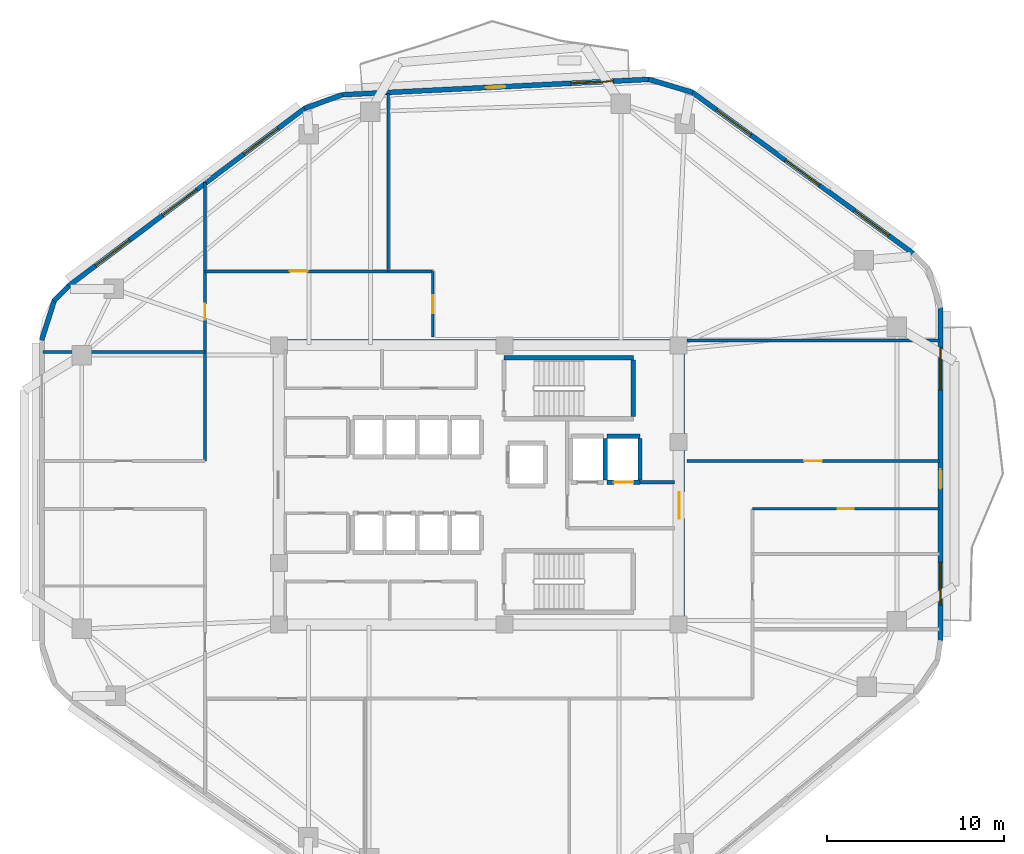
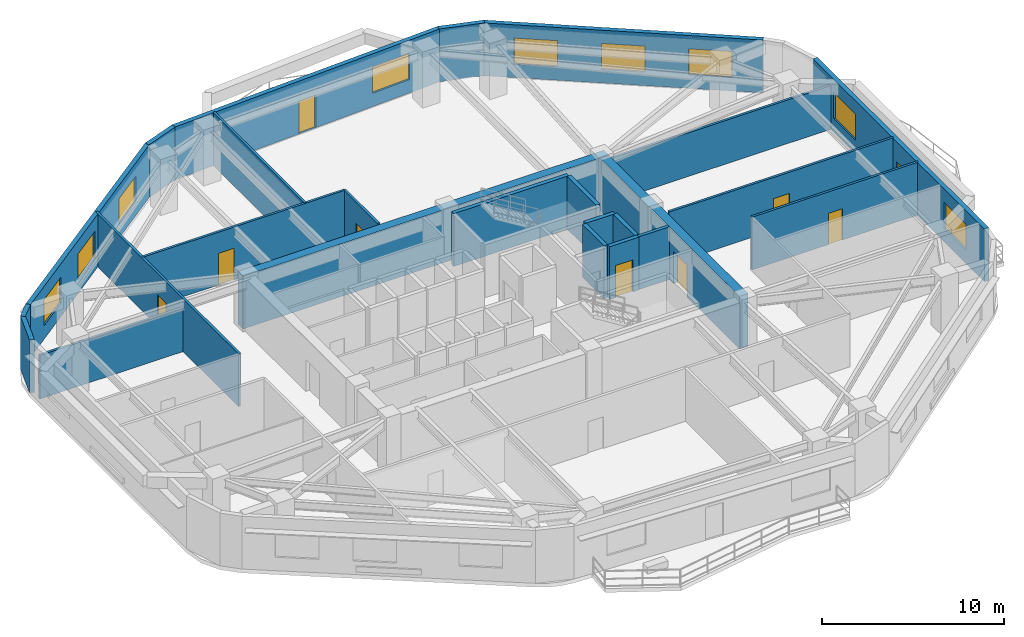
# One storey, part 5 of 8: 25 walls, 9 doors, 9 windows, 18 openings.
"""IFC4 building model written with IfcOpenShell, lengths in metres."""

from ifc_helpers import new_model, si_unit, direction, frame, frame_2d, origin, place, context, subcontext, project, spatial, rectangle, extrude, material, layer, layer_set, type_object, element, fill, save


model = new_model("IFC4")

# Units and contexts
model_context = context("Model", 3, precision=1e-05, world=origin(), true_north=direction((0.0, 1.0)))
body_context = subcontext(model_context, "Body", "Model", "MODEL_VIEW")
ifc_project = project(units=[si_unit("LENGTHUNIT", "METRE"), si_unit("AREAUNIT", "SQUARE_METRE"), si_unit("VOLUMEUNIT", "CUBIC_METRE"), si_unit("PLANEANGLEUNIT", "RADIAN"), si_unit("MASSUNIT", "GRAM", prefix="KILO")], contexts=[model_context])

# Site, building, storey
site_placement = place(None, origin())
site = spatial("IfcSite", under=ifc_project, at=site_placement, CompositionType="ELEMENT")
building_placement = place(site_placement, origin())
building = spatial("IfcBuilding", under=site, at=building_placement, Name="Zulverin Broadcast Headquarters", CompositionType="ELEMENT")
storey_placement = place(building_placement, frame((0.0, 0.0, 136.39990234375)))
storey = spatial("IfcBuildingStorey", under=building, at=storey_placement, Name="L34", CompositionType="ELEMENT", Elevation=136.39990234375)

# Wall
ifc_material_1 = material(Name="Concrete C60/75", Category="concrete")
ifc_layer_1 = layer(ifc_material_1, 0.550048828125, Name="Concrete C60/75", Category="concrete")
ifc_layer_set_1 = layer_set([ifc_layer_1], Name="Concrete C60/75")
wall_type_1 = type_object("IfcWallType", Name="WL-CORE-550", PredefinedType="SHEAR", material=ifc_layer_set_1)
wall_1_placement = place(storey_placement, frame((25.39990234375, 33.125, 0.0), z_axis=(0.0, 0.0, 1.0), x_axis=(1.0, 0.0, 0.0)))
element("IfcWall", 1, at=wall_1_placement, inside=storey, type_object=wall_type_1, Name="L34 Core North Shear Wall", PredefinedType="SHEAR", context=body_context, shape_type="SweptSolid", body=[
    extrude(rectangle(XDim=23.2001953125, YDim=0.550048828125, at=frame_2d((11.60009765625, 0.0))), origin(), (0.0, 0.0, 1.0), 3.5400390625),
])

# Wall, opening, door
wall_2_placement = place(storey_placement, frame((48.324951171875, 17.550048828125, 0.0), z_axis=(0.0, 0.0, 1.0), x_axis=(0.0, 1.0, 0.0)))
wall_2 = element("IfcWall", 2, at=wall_2_placement, inside=storey, type_object=wall_type_1, Name="L34 Core East Shear Wall", PredefinedType="SHEAR", context=body_context, shape_type="SweptSolid", body=[
    extrude(rectangle(XDim=15.300048828125, YDim=0.550048828125, at=frame_2d((7.64990234375, 0.0))), origin(), (0.0, 0.0, 1.0), 3.5400390625),
])
opening_1_placement = place(wall_2_placement, frame((5.75, 0.0, 0.0)))
opening_1 = element("IfcOpeningElement", 3, at=opening_1_placement, cuts=wall_2, Name="Opening D-L34-CE1", PredefinedType="OPENING", context=body_context, shape_type="SweptSolid", body=[
    extrude(rectangle(XDim=1.5, YDim=2.14990234375, at=frame_2d((0.75, 1.074951171875))), frame((0.0, 0.284912109375, 0.0), z_axis=(0.0, -1.0, 0.0), x_axis=(1.0, 0.0, 0.0)), (0.0, 0.0, 1.0), 0.570068359375),
])
ifc_material_2 = material(Name="Fire-rated glazed steel frame", Category="steel")
door_type_1 = type_object("IfcDoorType", Name="DR-COR-1500", OperationType="DOUBLE_DOOR_SINGLE_SWING", PredefinedType="DOOR", material=ifc_material_2)
door_1_placement = place(opening_1_placement, origin())
door_1 = element("IfcDoor", 4, at=door_1_placement, inside=storey, type_object=door_type_1, Name="L34 Firefighting Lobby East Corridor Door", OperationType="DOUBLE_DOOR_SINGLE_SWING", OverallHeight=2.14990234375, OverallWidth=1.5, PredefinedType="DOOR", context=body_context, shape_type="SweptSolid", body=[
    extrude(rectangle(XDim=1.5, YDim=2.14990234375, at=frame_2d((0.75, 1.074951171875))), frame((0.0, 0.02490234375, 0.0), z_axis=(0.0, -1.0, 0.0), x_axis=(1.0, 0.0, 0.0)), (0.0, 0.0, 1.0), 0.050048828125),
])
fill(opening_1, door_1)

# Wall, openings, door, windows
ifc_material_3 = material(Name="Insulated pale-metal clad concrete spandrel C40/50", Category="concrete")
ifc_layer_2 = layer(ifc_material_3, 0.280029296875, Name="Insulated pale-metal clad concrete spandrel C40/50", Category="concrete")
ifc_layer_set_2 = layer_set([ifc_layer_2], Name="Insulated pale-metal clad concrete spandrel C40/50")
wall_type_2 = type_object("IfcWallType", Name="WL-EXT-280", PredefinedType="STANDARD", material=ifc_layer_set_2)
wall_3_placement = place(storey_placement, frame((63.06005859375, 16.418212890625, 0.0), z_axis=(0.0, 0.0, 1.0), x_axis=(0.0, 1.0, 0.0)))
wall_3 = element("IfcWall", 5, at=wall_3_placement, inside=storey, type_object=wall_type_2, Name="L34 Pale-Metal Clad Spandrel Wall 3", PredefinedType="STANDARD", context=body_context, shape_type="SweptSolid", body=[
    extrude(rectangle(XDim=18.811767578125, YDim=0.280029296875, at=frame_2d((9.40576171875, 0.0))), origin(), (0.0, 0.0, 1.0), 3.5400390625),
])
opening_2_placement = place(wall_3_placement, frame((8.555908203125, 0.0, 0.0)))
opening_2 = element("IfcOpeningElement", 6, at=opening_2_placement, cuts=wall_3, Name="Opening D-L34-TR3", PredefinedType="OPENING", context=body_context, shape_type="SweptSolid", body=[
    extrude(rectangle(XDim=1.10009765625, YDim=2.199951171875, at=frame_2d((0.550048828125, 1.10009765625))), frame((0.0, 0.14990234375, 0.0), z_axis=(0.0, -1.0, 0.0), x_axis=(1.0, 0.0, 0.0)), (0.0, 0.0, 1.0), 0.300048828125),
])
opening_3_placement = place(wall_3_placement, frame((2.0185546875, 0.0, 0.89990234375)))
opening_3 = element("IfcOpeningElement", 7, at=opening_3_placement, cuts=wall_3, Name="Opening W-L34-E31", PredefinedType="OPENING", context=body_context, shape_type="SweptSolid", body=[
    extrude(rectangle(XDim=2.39990234375, YDim=1.75, at=frame_2d((1.199951171875, 0.875))), frame((0.0, 0.14990234375, 0.0), z_axis=(0.0, -1.0, 0.0), x_axis=(1.0, 0.0, 0.0)), (0.0, 0.0, 1.0), 0.300048828125),
])
opening_4_placement = place(wall_3_placement, frame((14.14306640625, 0.0, 0.89990234375)))
opening_4 = element("IfcOpeningElement", 8, at=opening_4_placement, cuts=wall_3, Name="Opening W-L34-E32", PredefinedType="OPENING", context=body_context, shape_type="SweptSolid", body=[
    extrude(rectangle(XDim=2.39990234375, YDim=1.75, at=frame_2d((1.199951171875, 0.875))), frame((0.0, 0.14990234375, 0.0), z_axis=(0.0, -1.0, 0.0), x_axis=(1.0, 0.0, 0.0)), (0.0, 0.0, 1.0), 0.300048828125),
])
ifc_material_4 = material(Name="Thermally broken aluminium glazed", Category="aluminium")
door_type_2 = type_object("IfcDoorType", Name="DR-TERR-1100", OperationType="SINGLE_SWING_RIGHT", PredefinedType="DOOR", material=ifc_material_4)
door_2_placement = place(opening_2_placement, origin())
door_2 = element("IfcDoor", 9, at=door_2_placement, inside=storey, type_object=door_type_2, Name="L34 Planted Terrace Glazed Access Door 3", OperationType="SINGLE_SWING_RIGHT", OverallHeight=2.199951171875, OverallWidth=1.10009765625, PredefinedType="DOOR", context=body_context, shape_type="SweptSolid", body=[
    extrude(rectangle(XDim=1.10009765625, YDim=2.199951171875, at=frame_2d((0.550048828125, 1.10009765625))), frame((0.0, 0.02490234375, 0.0), z_axis=(0.0, -1.0, 0.0), x_axis=(1.0, 0.0, 0.0)), (0.0, 0.0, 1.0), 0.050048828125),
])
fill(opening_2, door_2)
ifc_material_5 = material(Name="Pale anodized aluminium frame with solar-control low-E double glazing", Category="aluminium")
window_type = type_object("IfcWindowType", Name="WIN-RIB-2400", PartitioningType="SINGLE_PANEL", PredefinedType="WINDOW", material=ifc_material_5)
window_1_placement = place(opening_3_placement, origin())
window_1 = element("IfcWindow", 10, at=window_1_placement, inside=storey, type_object=window_type, Name="L34 Ribbon Glazing Window 3 1", OverallHeight=1.75, OverallWidth=2.39990234375, PartitioningType="SINGLE_PANEL", PredefinedType="WINDOW", context=body_context, shape_type="SweptSolid", body=[
    extrude(rectangle(XDim=2.39990234375, YDim=1.75, at=frame_2d((1.199951171875, 0.875))), frame((0.0, 0.030029296875, 0.0), z_axis=(0.0, -1.0, 0.0), x_axis=(1.0, 0.0, 0.0)), (0.0, 0.0, 1.0), 0.06005859375),
])
fill(opening_3, window_1)
window_2_placement = place(opening_4_placement, origin())
window_2 = element("IfcWindow", 11, at=window_2_placement, inside=storey, type_object=window_type, Name="L34 Ribbon Glazing Window 3 2", OverallHeight=1.75, OverallWidth=2.39990234375, PartitioningType="SINGLE_PANEL", PredefinedType="WINDOW", context=body_context, shape_type="SweptSolid", body=[
    extrude(rectangle(XDim=2.39990234375, YDim=1.75, at=frame_2d((1.199951171875, 0.875))), frame((0.0, 0.030029296875, 0.0), z_axis=(0.0, -1.0, 0.0), x_axis=(1.0, 0.0, 0.0)), (0.0, 0.0, 1.0), 0.06005859375),
])
fill(opening_4, window_2)

# Wall, openings, windows
wall_4_placement = place(storey_placement, frame((61.516357421875, 38.26708984375, 0.0), z_axis=(0.0, 0.0, 1.0), x_axis=(-0.807812505785, 0.589439526582, 0.0)))
wall_4 = element("IfcWall", 12, at=wall_4_placement, inside=storey, type_object=wall_type_2, Name="L34 Pale-Metal Clad Spandrel Wall 4", PredefinedType="STANDARD", context=body_context, shape_type="SweptSolid", body=[
    extrude(rectangle(XDim=15.448486328125, YDim=0.280029296875, at=frame_2d((7.72412109375, 0.0))), origin(), (0.0, 0.0, 1.0), 3.5400390625),
])
opening_5_placement = place(wall_4_placement, frame((1.7080078125, 0.0, 0.89990234375)))
opening_5 = element("IfcOpeningElement", 13, at=opening_5_placement, cuts=wall_4, Name="Opening W-L34-E41", PredefinedType="OPENING", context=body_context, shape_type="SweptSolid", body=[
    extrude(rectangle(XDim=2.39990234375, YDim=1.75, at=frame_2d((1.199951171875, 0.875))), frame((0.0, 0.14990234375, 0.0), z_axis=(0.0, -1.0, 0.0), x_axis=(1.0, 0.0, 0.0)), (0.0, 0.0, 1.0), 0.300048828125),
])
opening_6_placement = place(wall_4_placement, frame((6.524169921875, 0.0, 0.89990234375)))
opening_6 = element("IfcOpeningElement", 14, at=opening_6_placement, cuts=wall_4, Name="Opening W-L34-E42", PredefinedType="OPENING", context=body_context, shape_type="SweptSolid", body=[
    extrude(rectangle(XDim=2.39990234375, YDim=1.75, at=frame_2d((1.199951171875, 0.875))), frame((0.0, 0.14990234375, 0.0), z_axis=(0.0, -1.0, 0.0), x_axis=(1.0, 0.0, 0.0)), (0.0, 0.0, 1.0), 0.300048828125),
])
opening_7_placement = place(wall_4_placement, frame((11.34033203125, 0.0, 0.89990234375)))
opening_7 = element("IfcOpeningElement", 15, at=opening_7_placement, cuts=wall_4, Name="Opening W-L34-E43", PredefinedType="OPENING", context=body_context, shape_type="SweptSolid", body=[
    extrude(rectangle(XDim=2.39990234375, YDim=1.75, at=frame_2d((1.199951171875, 0.875))), frame((0.0, 0.14990234375, 0.0), z_axis=(0.0, -1.0, 0.0), x_axis=(1.0, 0.0, 0.0)), (0.0, 0.0, 1.0), 0.300048828125),
])
window_3_placement = place(opening_5_placement, origin())
window_3 = element("IfcWindow", 16, at=window_3_placement, inside=storey, type_object=window_type, Name="L34 Ribbon Glazing Window 4 1", OverallHeight=1.75, OverallWidth=2.39990234375, PartitioningType="SINGLE_PANEL", PredefinedType="WINDOW", context=body_context, shape_type="SweptSolid", body=[
    extrude(rectangle(XDim=2.39990234375, YDim=1.75, at=frame_2d((1.199951171875, 0.875))), frame((0.0, 0.030029296875, 0.0), z_axis=(0.0, -1.0, 0.0), x_axis=(1.0, 0.0, 0.0)), (0.0, 0.0, 1.0), 0.06005859375),
])
fill(opening_5, window_3)
window_4_placement = place(opening_6_placement, origin())
window_4 = element("IfcWindow", 17, at=window_4_placement, inside=storey, type_object=window_type, Name="L34 Ribbon Glazing Window 4 2", OverallHeight=1.75, OverallWidth=2.39990234375, PartitioningType="SINGLE_PANEL", PredefinedType="WINDOW", context=body_context, shape_type="SweptSolid", body=[
    extrude(rectangle(XDim=2.39990234375, YDim=1.75, at=frame_2d((1.199951171875, 0.875))), frame((0.0, 0.030029296875, 0.0), z_axis=(0.0, -1.0, 0.0), x_axis=(1.0, 0.0, 0.0)), (0.0, 0.0, 1.0), 0.06005859375),
])
fill(opening_6, window_4)
window_5_placement = place(opening_7_placement, origin())
window_5 = element("IfcWindow", 18, at=window_5_placement, inside=storey, type_object=window_type, Name="L34 Ribbon Glazing Window 4 3", OverallHeight=1.75, OverallWidth=2.39990234375, PartitioningType="SINGLE_PANEL", PredefinedType="WINDOW", context=body_context, shape_type="SweptSolid", body=[
    extrude(rectangle(XDim=2.39990234375, YDim=1.75, at=frame_2d((1.199951171875, 0.875))), frame((0.0, 0.030029296875, 0.0), z_axis=(0.0, -1.0, 0.0), x_axis=(1.0, 0.0, 0.0)), (0.0, 0.0, 1.0), 0.06005859375),
])
fill(opening_7, window_5)

# Wall, openings, door, window
wall_5_placement = place(storey_placement, frame((46.632080078125, 48.091064453125, 0.0), z_axis=(0.0, 0.0, 1.0), x_axis=(-0.998744129094, -0.050101542886, 0.0)))
wall_5 = element("IfcWall", 19, at=wall_5_placement, inside=storey, type_object=wall_type_2, Name="L34 Pale-Metal Clad Spandrel Wall 5", PredefinedType="STANDARD", context=body_context, shape_type="SweptSolid", body=[
    extrude(rectangle(XDim=17.381591796875, YDim=0.280029296875, at=frame_2d((8.69091796875, 0.0))), origin(), (0.0, 0.0, 1.0), 3.5400390625),
])
opening_8_placement = place(wall_5_placement, frame((8.140869140625, 0.0, 0.0)))
opening_8 = element("IfcOpeningElement", 20, at=opening_8_placement, cuts=wall_5, Name="Opening D-L34-TR5", PredefinedType="OPENING", context=body_context, shape_type="SweptSolid", body=[
    extrude(rectangle(XDim=1.10009765625, YDim=2.199951171875, at=frame_2d((0.550048828125, 1.10009765625))), frame((0.0, 0.14990234375, 0.0), z_axis=(0.0, -1.0, 0.0), x_axis=(1.0, 0.0, 0.0)), (0.0, 0.0, 1.0), 0.300048828125),
])
opening_9_placement = place(wall_5_placement, frame((2.0302734375, 0.0, 0.89990234375)))
opening_9 = element("IfcOpeningElement", 21, at=opening_9_placement, cuts=wall_5, Name="Opening W-L34-E51", PredefinedType="OPENING", context=body_context, shape_type="SweptSolid", body=[
    extrude(rectangle(XDim=2.39990234375, YDim=1.75, at=frame_2d((1.199951171875, 0.875))), frame((0.0, 0.14990234375, 0.0), z_axis=(0.0, -1.0, 0.0), x_axis=(1.0, 0.0, 0.0)), (0.0, 0.0, 1.0), 0.300048828125),
])
door_3_placement = place(opening_8_placement, origin())
door_3 = element("IfcDoor", 22, at=door_3_placement, inside=storey, type_object=door_type_2, Name="L34 Planted Terrace Glazed Access Door 5", OperationType="SINGLE_SWING_RIGHT", OverallHeight=2.199951171875, OverallWidth=1.10009765625, PredefinedType="DOOR", context=body_context, shape_type="SweptSolid", body=[
    extrude(rectangle(XDim=1.10009765625, YDim=2.199951171875, at=frame_2d((0.550048828125, 1.10009765625))), frame((0.0, 0.02490234375, 0.0), z_axis=(0.0, -1.0, 0.0), x_axis=(1.0, 0.0, 0.0)), (0.0, 0.0, 1.0), 0.050048828125),
])
fill(opening_8, door_3)
window_6_placement = place(opening_9_placement, origin())
window_6 = element("IfcWindow", 23, at=window_6_placement, inside=storey, type_object=window_type, Name="L34 Ribbon Glazing Window 5 1", OverallHeight=1.75, OverallWidth=2.39990234375, PartitioningType="SINGLE_PANEL", PredefinedType="WINDOW", context=body_context, shape_type="SweptSolid", body=[
    extrude(rectangle(XDim=2.39990234375, YDim=1.75, at=frame_2d((1.199951171875, 0.875))), frame((0.0, 0.030029296875, 0.0), z_axis=(0.0, -1.0, 0.0), x_axis=(1.0, 0.0, 0.0)), (0.0, 0.0, 1.0), 0.06005859375),
])
fill(opening_9, window_6)

# Wall, openings, windows
wall_6_placement = place(storey_placement, frame((27.201171875, 46.469970703125, 0.0), z_axis=(0.0, 0.0, 1.0), x_axis=(-0.799280853427, -0.600957666849, 0.0)))
wall_6 = element("IfcWall", 24, at=wall_6_placement, inside=storey, type_object=wall_type_2, Name="L34 Pale-Metal Clad Spandrel Wall 6", PredefinedType="STANDARD", context=body_context, shape_type="SweptSolid", body=[
    extrude(rectangle(XDim=16.716064453125, YDim=0.280029296875, at=frame_2d((8.35791015625, 0.0))), origin(), (0.0, 0.0, 1.0), 3.5400390625),
])
opening_10_placement = place(wall_6_placement, frame((1.91943359375, 0.0, 0.89990234375)))
opening_10 = element("IfcOpeningElement", 25, at=opening_10_placement, cuts=wall_6, Name="Opening W-L34-E61", PredefinedType="OPENING", context=body_context, shape_type="SweptSolid", body=[
    extrude(rectangle(XDim=2.39990234375, YDim=1.75, at=frame_2d((1.199951171875, 0.875))), frame((0.0, 0.14990234375, 0.0), z_axis=(0.0, -1.0, 0.0), x_axis=(1.0, 0.0, 0.0)), (0.0, 0.0, 1.0), 0.300048828125),
])
opening_11_placement = place(wall_6_placement, frame((7.658203125, 0.0, 0.89990234375)))
opening_11 = element("IfcOpeningElement", 26, at=opening_11_placement, cuts=wall_6, Name="Opening W-L34-E62", PredefinedType="OPENING", context=body_context, shape_type="SweptSolid", body=[
    extrude(rectangle(XDim=2.39990234375, YDim=1.75, at=frame_2d((1.199951171875, 0.875))), frame((0.0, 0.14990234375, 0.0), z_axis=(0.0, -1.0, 0.0), x_axis=(1.0, 0.0, 0.0)), (0.0, 0.0, 1.0), 0.300048828125),
])
opening_12_placement = place(wall_6_placement, frame((12.396728515625, 0.0, 0.89990234375)))
opening_12 = element("IfcOpeningElement", 27, at=opening_12_placement, cuts=wall_6, Name="Opening W-L34-E63", PredefinedType="OPENING", context=body_context, shape_type="SweptSolid", body=[
    extrude(rectangle(XDim=2.39990234375, YDim=1.75, at=frame_2d((1.199951171875, 0.875))), frame((0.0, 0.14990234375, 0.0), z_axis=(0.0, -1.0, 0.0), x_axis=(1.0, 0.0, 0.0)), (0.0, 0.0, 1.0), 0.300048828125),
])
window_7_placement = place(opening_10_placement, origin())
window_7 = element("IfcWindow", 28, at=window_7_placement, inside=storey, type_object=window_type, Name="L34 Ribbon Glazing Window 6 1", OverallHeight=1.75, OverallWidth=2.39990234375, PartitioningType="SINGLE_PANEL", PredefinedType="WINDOW", context=body_context, shape_type="SweptSolid", body=[
    extrude(rectangle(XDim=2.39990234375, YDim=1.75, at=frame_2d((1.199951171875, 0.875))), frame((0.0, 0.030029296875, 0.0), z_axis=(0.0, -1.0, 0.0), x_axis=(1.0, 0.0, 0.0)), (0.0, 0.0, 1.0), 0.06005859375),
])
fill(opening_10, window_7)
window_8_placement = place(opening_11_placement, origin())
window_8 = element("IfcWindow", 29, at=window_8_placement, inside=storey, type_object=window_type, Name="L34 Ribbon Glazing Window 6 2", OverallHeight=1.75, OverallWidth=2.39990234375, PartitioningType="SINGLE_PANEL", PredefinedType="WINDOW", context=body_context, shape_type="SweptSolid", body=[
    extrude(rectangle(XDim=2.39990234375, YDim=1.75, at=frame_2d((1.199951171875, 0.875))), frame((0.0, 0.030029296875, 0.0), z_axis=(0.0, -1.0, 0.0), x_axis=(1.0, 0.0, 0.0)), (0.0, 0.0, 1.0), 0.06005859375),
])
fill(opening_11, window_8)
window_9_placement = place(opening_12_placement, origin())
window_9 = element("IfcWindow", 30, at=window_9_placement, inside=storey, type_object=window_type, Name="L34 Ribbon Glazing Window 6 3", OverallHeight=1.75, OverallWidth=2.39990234375, PartitioningType="SINGLE_PANEL", PredefinedType="WINDOW", context=body_context, shape_type="SweptSolid", body=[
    extrude(rectangle(XDim=2.39990234375, YDim=1.75, at=frame_2d((1.199951171875, 0.875))), frame((0.0, 0.030029296875, 0.0), z_axis=(0.0, -1.0, 0.0), x_axis=(1.0, 0.0, 0.0)), (0.0, 0.0, 1.0), 0.06005859375),
])
fill(opening_12, window_9)

# Walls
wall_7_placement = place(storey_placement, frame((49.079345703125, 47.35205078125, 0.0), z_axis=(0.0, 0.0, 1.0), x_axis=(-0.958207501709, 0.286074087726, 0.0)))
element("IfcWall", 31, at=wall_7_placement, inside=storey, type_object=wall_type_2, Name="L34 Wind-Shaped Corner Spandrel Wall 4-1", PredefinedType="STANDARD", context=body_context, shape_type="SweptSolid", body=[
    extrude(rectangle(XDim=2.60302734375, YDim=0.280029296875, at=frame_2d((1.301513671875, 0.0))), origin(), (0.0, 0.0, 1.0), 3.5400390625),
])
wall_8_placement = place(storey_placement, frame((29.31298828125, 47.228271484375, 0.0), z_axis=(0.0, 0.0, 1.0), x_axis=(-0.940226330758, -0.340550212084, 0.0)))
element("IfcWall", 32, at=wall_8_placement, inside=storey, type_object=wall_type_2, Name="L34 Wind-Shaped Corner Spandrel Wall 5-1", PredefinedType="STANDARD", context=body_context, shape_type="SweptSolid", body=[
    extrude(rectangle(XDim=2.28466796875, YDim=0.280029296875, at=frame_2d((1.142333984375, 0.0))), origin(), (0.0, 0.0, 1.0), 3.5400390625),
])
wall_9_placement = place(storey_placement, frame((13.8564453125, 36.4384765625, 0.0), z_axis=(0.0, 0.0, 1.0), x_axis=(-0.697369094044, -0.716712178404, 0.0)))
element("IfcWall", 33, at=wall_9_placement, inside=storey, type_object=wall_type_2, Name="L34 Wind-Shaped Corner Spandrel Wall 6-1", PredefinedType="STANDARD", context=body_context, shape_type="SweptSolid", body=[
    extrude(rectangle(XDim=1.198974609375, YDim=0.280029296875, at=frame_2d((0.599609375, 0.0))), origin(), (0.0, 0.0, 1.0), 3.5400390625),
])
wall_10_placement = place(storey_placement, frame((13.053466796875, 35.63427734375, 0.0), z_axis=(0.0, 0.0, 1.0), x_axis=(-0.303807416298, -0.952733464198, 0.0)))
element("IfcWall", 34, at=wall_10_placement, inside=storey, type_object=wall_type_2, Name="L34 Wind-Shaped Corner Spandrel Wall 6-2", PredefinedType="STANDARD", context=body_context, shape_type="SweptSolid", body=[
    extrude(rectangle(XDim=2.369873046875, YDim=0.280029296875, at=frame_2d((1.18505859375, 0.0))), origin(), (0.0, 0.0, 1.0), 3.5400390625),
])
ifc_material_6 = material(Name="Concrete C40/50", Category="concrete")
ifc_layer_3 = layer(ifc_material_6, 0.199951171875, Name="Concrete C40/50", Category="concrete")
ifc_layer_set_3 = layer_set([ifc_layer_3], Name="Concrete C40/50")
wall_type_3 = type_object("IfcWallType", Name="WL-FFL-200", PredefinedType="SOLIDWALL", material=ifc_layer_set_3)
wall_11_placement = place(storey_placement, frame((46.10009765625, 25.35009765625, 0.0), z_axis=(0.0, 0.0, 1.0), x_axis=(1.0, 0.0, 0.0)))
element("IfcWall", 35, at=wall_11_placement, inside=storey, type_object=wall_type_3, Name="L34 Firefighting Lift Lobby North Wall", PredefinedType="SOLIDWALL", context=body_context, shape_type="SweptSolid", body=[
    extrude(rectangle(XDim=1.949951171875, YDim=0.199951171875, at=frame_2d((0.97509765625, 0.0))), origin(), (0.0, 0.0, 1.0), 3.5400390625),
])

# Wall, opening, door
ifc_material_7 = material(Name="Fire-rated gypsum stud partition", Category="gypsum")
ifc_layer_4 = layer(ifc_material_7, 0.14990234375, Name="Fire-rated gypsum stud partition", Category="gypsum")
ifc_layer_set_4 = layer_set([ifc_layer_4], Name="Fire-rated gypsum stud partition")
wall_type_4 = type_object("IfcWallType", Name="WL-PART-150", PredefinedType="PARTITIONING", material=ifc_layer_set_4)
wall_12_placement = place(storey_placement, frame((34.39990234375, 33.5400390625, 0.0), z_axis=(0.0, 0.0, 1.0), x_axis=(0.0, 1.0, 0.0)))
wall_12 = element("IfcWall", 36, at=wall_12_placement, inside=storey, type_object=wall_type_4, Name="L34 Gallery Partition Wall CG-03", PredefinedType="PARTITIONING", context=body_context, shape_type="SweptSolid", body=[
    extrude(rectangle(XDim=3.7099609375, YDim=0.14990234375, at=frame_2d((1.85498046875, 0.0))), origin(), (0.0, 0.0, 1.0), 3.5400390625),
])
opening_13_placement = place(wall_12_placement, frame((1.35498046875, 0.0, 0.0)))
opening_13 = element("IfcOpeningElement", 37, at=opening_13_placement, cuts=wall_12, Name="Opening D-L34-02", PredefinedType="OPENING", context=body_context, shape_type="SweptSolid", body=[
    extrude(rectangle(XDim=1.0, YDim=2.1201171875, at=frame_2d((0.5, 1.06005859375))), frame((0.0, 0.0849609375, 0.0), z_axis=(0.0, -1.0, 0.0), x_axis=(1.0, 0.0, 0.0)), (0.0, 0.0, 1.0), 0.169921875),
])
ifc_material_8 = material(Name="Hardwood veneer acoustic leaf", Category="wood")
door_type_3 = type_object("IfcDoorType", Name="DR-OFF-1000", OperationType="SINGLE_SWING_LEFT", PredefinedType="DOOR", material=ifc_material_8)
door_4_placement = place(opening_13_placement, origin())
door_4 = element("IfcDoor", 38, at=door_4_placement, inside=storey, type_object=door_type_3, Name="L34 News Wire Office Door", OperationType="SINGLE_SWING_RIGHT", OverallHeight=2.1201171875, OverallWidth=1.0, PredefinedType="DOOR", context=body_context, shape_type="SweptSolid", body=[
    extrude(rectangle(XDim=1.0, YDim=2.1201171875, at=frame_2d((0.5, 1.06005859375))), frame((0.0, 0.02490234375, 0.0), z_axis=(0.0, -1.0, 0.0), x_axis=(1.0, 0.0, 0.0)), (0.0, 0.0, 1.0), 0.050048828125),
])
fill(opening_13, door_4)

# Wall
wall_13_placement = place(storey_placement, frame((31.89990234375, 37.25, 0.0), z_axis=(0.0, 0.0, 1.0), x_axis=(0.0, 1.0, 0.0)))
element("IfcWall", 39, at=wall_13_placement, inside=storey, type_object=wall_type_4, Name="L34 Room Partition Wall RP-04", PredefinedType="PARTITIONING", context=body_context, shape_type="SweptSolid", body=[
    extrude(rectangle(XDim=10.037109375, YDim=0.14990234375, at=frame_2d((5.0185546875, 0.0))), origin(), (0.0, 0.0, 1.0), 3.5400390625),
])

# Wall, opening, door
wall_14_placement = place(storey_placement, frame((21.550048828125, 26.550048828125, 0.0), z_axis=(0.0, 0.0, 1.0), x_axis=(0.0, 1.0, 0.0)))
wall_14 = element("IfcWall", 40, at=wall_14_placement, inside=storey, type_object=wall_type_4, Name="L34 Gallery Partition Wall CG-07", PredefinedType="PARTITIONING", context=body_context, shape_type="SweptSolid", body=[
    extrude(rectangle(XDim=15.7060546875, YDim=0.14990234375, at=frame_2d((7.85302734375, 0.0))), origin(), (0.0, 0.0, 1.0), 3.5400390625),
])
opening_14_placement = place(wall_14_placement, frame((7.97509765625, 0.0, 0.0)))
opening_14 = element("IfcOpeningElement", 41, at=opening_14_placement, cuts=wall_14, Name="Opening D-L34-09", PredefinedType="OPENING", context=body_context, shape_type="SweptSolid", body=[
    extrude(rectangle(XDim=0.89990234375, YDim=2.10009765625, at=frame_2d((0.449951171875, 1.050048828125))), frame((0.0, 0.0849609375, 0.0), z_axis=(0.0, -1.0, 0.0), x_axis=(1.0, 0.0, 0.0)), (0.0, 0.0, 1.0), 0.169921875),
])
ifc_material_9 = material(Name="Fire-rated hardwood veneer timber leaf", Category="wood")
door_type_4 = type_object("IfcDoorType", Name="DR-ROOM-900", OperationType="SINGLE_SWING_RIGHT", PredefinedType="DOOR", material=ifc_material_9)
door_5_placement = place(opening_14_placement, origin())
door_5 = element("IfcDoor", 42, at=door_5_placement, inside=storey, type_object=door_type_4, Name="L34 Editorial Coaching Suite Door", OperationType="SINGLE_SWING_LEFT", OverallHeight=2.10009765625, OverallWidth=0.89990234375, PredefinedType="DOOR", context=body_context, shape_type="SweptSolid", body=[
    extrude(rectangle(XDim=0.89990234375, YDim=2.10009765625, at=frame_2d((0.449951171875, 1.050048828125))), frame((0.0, 0.02490234375, 0.0), z_axis=(0.0, -1.0, 0.0), x_axis=(1.0, 0.0, 0.0)), (0.0, 0.0, 1.0), 0.050048828125),
])
fill(opening_14, door_5)

wall_15_placement = place(storey_placement, frame((52.449951171875, 23.85009765625, 0.0), z_axis=(0.0, 0.0, 1.0), x_axis=(1.0, 0.0, 0.0)))
wall_15 = element("IfcWall", 43, at=wall_15_placement, inside=storey, type_object=wall_type_4, Name="L34 Gallery Partition Wall CG-13", PredefinedType="PARTITIONING", context=body_context, shape_type="SweptSolid", body=[
    extrude(rectangle(XDim=10.545166015625, YDim=0.14990234375, at=frame_2d((5.2724609375, 0.0))), origin(), (0.0, 0.0, 1.0), 3.5400390625),
])
opening_15_placement = place(wall_15_placement, frame((4.822509765625, 0.0, 0.0)))
opening_15 = element("IfcOpeningElement", 44, at=opening_15_placement, cuts=wall_15, Name="Opening D-L34-11", PredefinedType="OPENING", context=body_context, shape_type="SweptSolid", body=[
    extrude(rectangle(XDim=0.89990234375, YDim=2.10009765625, at=frame_2d((0.449951171875, 1.050048828125))), frame((0.0, 0.0849609375, 0.0), z_axis=(0.0, -1.0, 0.0), x_axis=(1.0, 0.0, 0.0)), (0.0, 0.0, 1.0), 0.169921875),
])
door_6_placement = place(opening_15_placement, origin())
door_6 = element("IfcDoor", 45, at=door_6_placement, inside=storey, type_object=door_type_4, Name="L34 Tea Pantry Door", OperationType="SINGLE_SWING_LEFT", OverallHeight=2.10009765625, OverallWidth=0.89990234375, PredefinedType="DOOR", context=body_context, shape_type="SweptSolid", body=[
    extrude(rectangle(XDim=0.89990234375, YDim=2.10009765625, at=frame_2d((0.449951171875, 1.050048828125))), frame((0.0, 0.02490234375, 0.0), z_axis=(0.0, -1.0, 0.0), x_axis=(1.0, 0.0, 0.0)), (0.0, 0.0, 1.0), 0.050048828125),
])
fill(opening_15, door_6)

wall_16_placement = place(storey_placement, frame((48.739990234375, 26.550048828125, 0.0), z_axis=(0.0, 0.0, 1.0), x_axis=(1.0, 0.0, 0.0)))
wall_16 = element("IfcWall", 46, at=wall_16_placement, inside=storey, type_object=wall_type_4, Name="L34 Gallery Partition Wall CG-15", PredefinedType="PARTITIONING", context=body_context, shape_type="SweptSolid", body=[
    extrude(rectangle(XDim=14.255126953125, YDim=0.14990234375, at=frame_2d((7.12744140625, 0.0))), origin(), (0.0, 0.0, 1.0), 3.5400390625),
])
opening_16_placement = place(wall_16_placement, frame((6.62744140625, 0.0, 0.0)))
opening_16 = element("IfcOpeningElement", 47, at=opening_16_placement, cuts=wall_16, Name="Opening D-L34-12", PredefinedType="OPENING", context=body_context, shape_type="SweptSolid", body=[
    extrude(rectangle(XDim=1.0, YDim=2.1201171875, at=frame_2d((0.5, 1.06005859375))), frame((0.0, 0.0849609375, 0.0), z_axis=(0.0, -1.0, 0.0), x_axis=(1.0, 0.0, 0.0)), (0.0, 0.0, 1.0), 0.169921875),
])
door_7_placement = place(opening_16_placement, origin())
door_7 = element("IfcDoor", 48, at=door_7_placement, inside=storey, type_object=door_type_3, Name="L34 Regional Languages Office Door", OperationType="SINGLE_SWING_RIGHT", OverallHeight=2.1201171875, OverallWidth=1.0, PredefinedType="DOOR", context=body_context, shape_type="SweptSolid", body=[
    extrude(rectangle(XDim=1.0, YDim=2.1201171875, at=frame_2d((0.5, 1.06005859375))), frame((0.0, 0.02490234375, 0.0), z_axis=(0.0, -1.0, 0.0), x_axis=(1.0, 0.0, 0.0)), (0.0, 0.0, 1.0), 0.050048828125),
])
fill(opening_16, door_7)

# Walls
wall_17_placement = place(storey_placement, frame((12.405029296875, 32.699951171875, 0.0), z_axis=(0.0, 0.0, 1.0), x_axis=(1.0, 0.0, 0.0)))
element("IfcWall", 49, at=wall_17_placement, inside=storey, type_object=wall_type_4, Name="L34 Room Partition Wall RP-16", PredefinedType="PARTITIONING", context=body_context, shape_type="SweptSolid", body=[
    extrude(rectangle(XDim=9.14501953125, YDim=0.14990234375, at=frame_2d((4.572509765625, 0.0))), origin(), (0.0, 0.0, 1.0), 2.9228515625),
])
wall_18_placement = place(storey_placement, frame((48.739990234375, 33.35009765625, 0.0), z_axis=(0.0, 0.0, 1.0), x_axis=(1.0, 0.0, 0.0)))
element("IfcWall", 50, at=wall_18_placement, inside=storey, type_object=wall_type_4, Name="L34 Room Partition Wall RP-17", PredefinedType="PARTITIONING", context=body_context, shape_type="SweptSolid", body=[
    extrude(rectangle(XDim=14.255126953125, YDim=0.14990234375, at=frame_2d((7.12744140625, 0.0))), origin(), (0.0, 0.0, 1.0), 2.9228515625),
])

# Wall, opening, door
wall_19_placement = place(storey_placement, frame((21.550048828125, 37.25, 0.0), z_axis=(0.0, 0.0, 1.0), x_axis=(1.0, 0.0, 0.0)))
wall_19 = element("IfcWall", 51, at=wall_19_placement, inside=storey, type_object=wall_type_4, Name="L34 Gallery Partition Wall CG-18", PredefinedType="PARTITIONING", context=body_context, shape_type="SweptSolid", body=[
    extrude(rectangle(XDim=12.849853515625, YDim=0.14990234375, at=frame_2d((6.4248046875, 0.0))), origin(), (0.0, 0.0, 1.0), 3.5400390625),
])
opening_17_placement = place(wall_19_placement, frame((4.794921875, 0.0, 0.0)))
opening_17 = element("IfcOpeningElement", 52, at=opening_17_placement, cuts=wall_19, Name="Opening D-L34-01", PredefinedType="OPENING", context=body_context, shape_type="SweptSolid", body=[
    extrude(rectangle(XDim=1.0, YDim=2.1201171875, at=frame_2d((0.5, 1.06005859375))), frame((0.0, 0.0849609375, 0.0), z_axis=(0.0, -1.0, 0.0), x_axis=(1.0, 0.0, 0.0)), (0.0, 0.0, 1.0), 0.169921875),
])
door_8_placement = place(opening_17_placement, origin())
door_8 = element("IfcDoor", 53, at=door_8_placement, inside=storey, type_object=door_type_3, Name="L34 Regional Languages Office Door", OperationType="SINGLE_SWING_LEFT", OverallHeight=2.1201171875, OverallWidth=1.0, PredefinedType="DOOR", context=body_context, shape_type="SweptSolid", body=[
    extrude(rectangle(XDim=1.0, YDim=2.1201171875, at=frame_2d((0.5, 1.06005859375))), frame((0.0, 0.02490234375, 0.0), z_axis=(0.0, -1.0, 0.0), x_axis=(1.0, 0.0, 0.0)), (0.0, 0.0, 1.0), 0.050048828125),
])
fill(opening_17, door_8)

# Walls
ifc_material_10 = material(Name="Concrete C50/60", Category="concrete")
ifc_layer_5 = layer(ifc_material_10, 0.25, Name="Concrete C50/60", Category="concrete")
ifc_layer_set_5 = layer_set([ifc_layer_5], Name="Concrete C50/60")
wall_type_5 = type_object("IfcWallType", Name="WL-SHAFT-250", PredefinedType="SHEAR", material=ifc_layer_set_5)
wall_20_placement = place(storey_placement, frame((38.425048828125, 32.375, 0.0), z_axis=(0.0, 0.0, 1.0), x_axis=(1.0, 0.0, 0.0)))
element("IfcWall", 54, at=wall_20_placement, inside=storey, type_object=wall_type_5, Name="L34 ST-1 Enclosure Wall N", PredefinedType="SHEAR", context=body_context, shape_type="SweptSolid", body=[
    extrude(rectangle(XDim=7.300048828125, YDim=0.25, at=frame_2d((3.64990234375, 0.0))), origin(), (0.0, 0.0, 1.0), 3.5400390625),
])
wall_21_placement = place(storey_placement, frame((45.72509765625, 29.050048828125, 0.0), z_axis=(0.0, 0.0, 1.0), x_axis=(0.0, 1.0, 0.0)))
element("IfcWall", 55, at=wall_21_placement, inside=storey, type_object=wall_type_5, Name="L34 ST-1 Enclosure Wall E", PredefinedType="SHEAR", context=body_context, shape_type="SweptSolid", body=[
    extrude(rectangle(XDim=3.199951171875, YDim=0.25, at=frame_2d((1.60009765625, 0.0))), origin(), (0.0, 0.0, 1.0), 3.5400390625),
])
wall_22_placement = place(storey_placement, frame((44.14990234375, 25.469970703125, 0.0), z_axis=(0.0, 0.0, 1.0), x_axis=(0.0, 1.0, 0.0)))
element("IfcWall", 56, at=wall_22_placement, inside=storey, type_object=wall_type_5, Name="L34 Lift FFL-1 Shaft Wall E", PredefinedType="SHEAR", context=body_context, shape_type="SweptSolid", body=[
    extrude(rectangle(XDim=2.360107421875, YDim=0.25, at=frame_2d((1.18017578125, 0.0))), origin(), (0.0, 0.0, 1.0), 3.5400390625),
])

# Wall, opening, door
wall_23_placement = place(storey_placement, frame((44.25, 25.35009765625, 0.0), z_axis=(0.0, 0.0, 1.0), x_axis=(1.0, 0.0, 0.0)))
wall_23 = element("IfcWall", 57, at=wall_23_placement, inside=storey, type_object=wall_type_5, Name="L34 Lift FFL-2 Shaft Wall S", PredefinedType="SHEAR", context=body_context, shape_type="SweptSolid", body=[
    extrude(rectangle(XDim=1.85009765625, YDim=0.25, at=frame_2d((0.925048828125, 0.0))), origin(), (0.0, 0.0, 1.0), 3.5400390625),
])
opening_18_placement = place(wall_23_placement, frame((0.375, 0.0, 0.0)))
opening_18 = element("IfcOpeningElement", 58, at=opening_18_placement, cuts=wall_23, Name="Opening LD-FFL-2-L34", PredefinedType="OPENING", context=body_context, shape_type="SweptSolid", body=[
    extrude(rectangle(XDim=1.10009765625, YDim=2.14990234375, at=frame_2d((0.550048828125, 1.074951171875))), frame((0.0, 0.135009765625, 0.0), z_axis=(0.0, -1.0, 0.0), x_axis=(1.0, 0.0, 0.0)), (0.0, 0.0, 1.0), 0.27001953125),
])
ifc_material_11 = material(Name="Fire-rated stainless landing door", Category="steel")
door_type_5 = type_object("IfcDoorType", Name="LD-FFL-1100", OperationType="DOUBLE_DOOR_SLIDING", PredefinedType="DOOR", material=ifc_material_11)
door_9_placement = place(opening_18_placement, origin())
door_9 = element("IfcDoor", 59, at=door_9_placement, inside=storey, type_object=door_type_5, Name="L34 Lift FFL-2 Sliding Landing Door", OperationType="DOUBLE_DOOR_SLIDING", OverallHeight=2.14990234375, OverallWidth=1.10009765625, PredefinedType="DOOR", context=body_context, shape_type="SweptSolid", body=[
    extrude(rectangle(XDim=1.10009765625, YDim=2.14990234375, at=frame_2d((0.550048828125, 1.074951171875))), frame((0.0, 0.02490234375, 0.0), z_axis=(0.0, -1.0, 0.0), x_axis=(1.0, 0.0, 0.0)), (0.0, 0.0, 1.0), 0.050048828125),
])
fill(opening_18, door_9)

# Walls
wall_24_placement = place(storey_placement, frame((44.25, 27.949951171875, 0.0), z_axis=(0.0, 0.0, 1.0), x_axis=(1.0, 0.0, 0.0)))
element("IfcWall", 60, at=wall_24_placement, inside=storey, type_object=wall_type_5, Name="L34 Lift FFL-2 Shaft Wall N", PredefinedType="SHEAR", context=body_context, shape_type="SweptSolid", body=[
    extrude(rectangle(XDim=1.85009765625, YDim=0.25, at=frame_2d((0.925048828125, 0.0))), origin(), (0.0, 0.0, 1.0), 3.5400390625),
])
wall_25_placement = place(storey_placement, frame((46.10009765625, 25.469970703125, 0.0), z_axis=(0.0, 0.0, 1.0), x_axis=(0.0, 1.0, 0.0)))
element("IfcWall", 61, at=wall_25_placement, inside=storey, type_object=wall_type_5, Name="L34 Lift FFL-2 Shaft Wall E", PredefinedType="SHEAR", context=body_context, shape_type="SweptSolid", body=[
    extrude(rectangle(XDim=2.360107421875, YDim=0.25, at=frame_2d((1.18017578125, 0.0))), origin(), (0.0, 0.0, 1.0), 3.5400390625),
])

save(model, "model.ifc")
